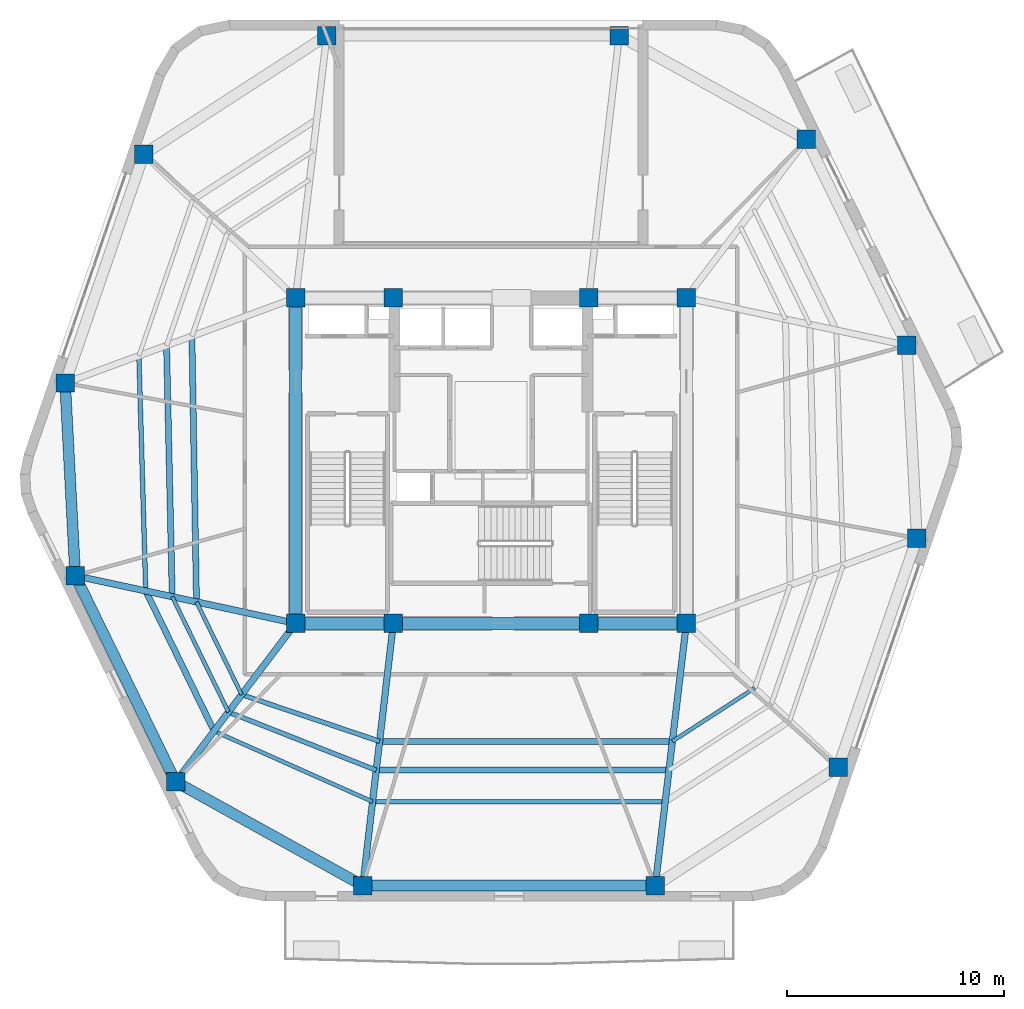
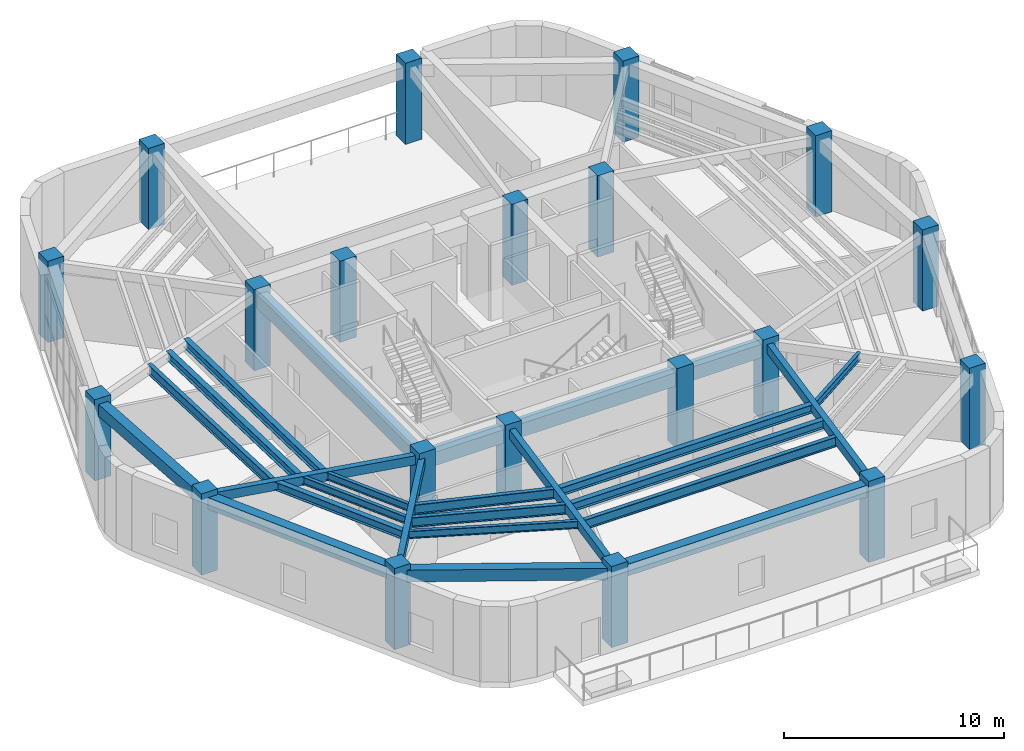
# One storey, part 1 of 15: 25 beams, 20 columns.
"""IFC4 building model written with IfcOpenShell, lengths in metres."""

from ifc_helpers import new_model, si_unit, direction, frame, origin, origin_2d, place, context, subcontext, project, spatial, rectangle, i_section, extrude, material, material_profile, profile_set, type_object, element, save


model = new_model("IFC4")

# Units and contexts
model_context = context("Model", 3, precision=1e-05, world=origin(), true_north=direction((0.0, 1.0)))
body_context = subcontext(model_context, "Body", "Model", "MODEL_VIEW")
ifc_project = project(units=[si_unit("LENGTHUNIT", "METRE"), si_unit("AREAUNIT", "SQUARE_METRE"), si_unit("VOLUMEUNIT", "CUBIC_METRE"), si_unit("PLANEANGLEUNIT", "RADIAN"), si_unit("MASSUNIT", "GRAM", prefix="KILO")], contexts=[model_context])

# Site, building, storey
site_placement = place(None, origin())
site = spatial("IfcSite", under=ifc_project, at=site_placement, CompositionType="ELEMENT")
building_placement = place(site_placement, origin())
building = spatial("IfcBuilding", under=site, at=building_placement, Name="Kilnhurst Terrace Hotel", CompositionType="ELEMENT")
storey_placement = place(building_placement, frame((0.0, 0.0, 288.60009765625)))
storey = spatial("IfcBuildingStorey", under=building, at=storey_placement, Name="L72", CompositionType="ELEMENT", Elevation=288.60009765625)

# Columns
ifc_material_1 = material(Name="Concrete C60/75", Category="concrete")
ifc_material_profile_1 = material_profile(ifc_material_1, rectangle(XDim=0.85009765625, YDim=0.85009765625, at=origin_2d()), Name="RC850X850")
ifc_profile_set_1 = profile_set([ifc_material_profile_1], Name="Concrete C60/75")
column_type = type_object("IfcColumnType", Name="COL-RC-850", PredefinedType="COLUMN", material=ifc_profile_set_1)
for number, where, z_axis, x_axis, name in (
    (1, (-9.0, -7.5, 0.0), (0.0, 0.0, 1.0), (1.0, 0.0, 0.0), "L72 Structural Column CC-SW"),
    (2, (-4.5, -7.5, 0.0), (0.0, 0.0, 1.0), (1.0, 0.0, 0.0), "L72 Structural Column CC-SC1"),
    (3, (4.5, -7.5, 0.0), (0.0, 0.0, 1.0), (1.0, 0.0, 0.0), "L72 Structural Column CC-SC2"),
    (4, (9.0, -7.5, 0.0), (0.0, 0.0, 1.0), (1.0, 0.0, 0.0), "L72 Structural Column CC-SE"),
    (5, (9.0, 7.5, 0.0), (0.0, 0.0, 1.0), (1.0, 0.0, 0.0), "L72 Structural Column CC-NE"),
    (6, (4.5, 7.5, 0.0), (0.0, 0.0, 1.0), (1.0, 0.0, 0.0), "L72 Structural Column CC-NC2"),
    (7, (-4.5, 7.5, 0.0), (0.0, 0.0, 1.0), (1.0, 0.0, 0.0), "L72 Structural Column CC-NC1"),
    (8, (-9.0, 7.5, 0.0), (0.0, 0.0, 1.0), (1.0, 0.0, 0.0), "L72 Structural Column CC-NW"),
    (9, (-5.907958984375, -19.580078125, 0.0), (0.0, 0.0, 1.0), (1.0, 0.0, 0.0), "L72 Structural Column PC-F11"),
    (10, (7.569091796875, -19.580078125, 0.0), (0.0, 0.0, 1.0), (1.0, 0.0, 0.0), "L72 Structural Column PC-F12"),
    (11, (15.9951171875, -14.12109375, 0.0), (0.0, 0.0, 1.0), (1.0, 0.0, 0.0), "L72 Structural Column PC-F21"),
    (12, (19.6240234375, -3.573974609375, 0.0), (0.0, 0.0, 1.0), (1.0, 0.0, 0.0), "L72 Structural Column PC-F22"),
    (13, (19.157958984375, 5.304931640625, 0.0), (0.0, 0.0, 1.0), (1.0, 0.0, 0.0), "L72 Structural Column PC-F31"),
    (14, (14.531005859375, 14.798095703125, 0.0), (0.0, 0.0, 1.0), (1.0, 0.0, 0.0), "L72 Structural Column PC-F32"),
    (15, (5.907958984375, 19.580078125, 0.0), (0.0, 0.0, 1.0), (1.0, 0.0, 0.0), "L72 Structural Column PC-F41"),
    (16, (-7.569091796875, 19.580078125, 0.0), (0.0, 0.0, 1.0), (1.0, 0.0, 0.0), "L72 Structural Column PC-F42"),
    (17, (-15.9951171875, 14.12109375, 0.0), (0.0, 0.0, 1.0), (1.0, 0.0, 0.0), "L72 Structural Column PC-F51"),
    (18, (-19.6240234375, 3.573974609375, 0.0), (0.0, 0.0, 1.0), (1.0, 0.0, 0.0), "L72 Structural Column PC-F52"),
    (19, (-19.157958984375, -5.304931640625, 0.0), (0.0, 0.0, 1.0), (1.0, 0.0, 0.0), "L72 Structural Column PC-F61"),
    (20, (-14.531005859375, -14.798095703125, 0.0), (0.0, 0.0, 1.0), (1.0, 0.0, 0.0), "L72 Structural Column PC-F62"),
):
    element("IfcColumn", number, at=place(storey_placement, frame(where, z_axis=z_axis, x_axis=x_axis)), inside=storey, type_object=column_type, Name=name, PredefinedType="COLUMN", context=body_context, shape_type="SweptSolid", body=[
        extrude(rectangle(XDim=0.85009765625, YDim=0.85009765625, at=origin_2d()), origin(), (0.0, 0.0, 1.0), 4.5),
    ])

# Beams
ifc_material_2 = material(Name="Concrete C50/60", Category="concrete")
ifc_material_profile_2 = material_profile(ifc_material_2, rectangle(XDim=0.300048828125, YDim=0.5, at=origin_2d()), Name="RC300X500")
ifc_profile_set_2 = profile_set([ifc_material_profile_2], Name="Concrete C50/60")
beam_type_1 = type_object("IfcBeamType", Name="BM-RAD-300X500", PredefinedType="BEAM", material=ifc_profile_set_2)
beam_1_placement = place(storey_placement, frame((-4.5, -7.5, 3.929931640625), z_axis=(-0.115768472001, -0.993276225876, 0.0), x_axis=(0.993276225876, -0.115768472001, 0.0)))
element("IfcBeam", 21, at=beam_1_placement, inside=storey, type_object=beam_type_1, Name="L72 Radial Floor Beam 1", PredefinedType="BEAM", context=body_context, shape_type="SweptSolid", body=[
    extrude(rectangle(XDim=0.300048828125, YDim=0.5, at=origin_2d()), origin(), (0.0, 0.0, 1.0), 12.161865234375),
])
beam_2_placement = place(storey_placement, frame((9.0, -7.5, 3.929931640625), z_axis=(-0.117629552811, -0.993057545314, 0.0), x_axis=(0.993057545314, -0.117629552811, 0.0)))
element("IfcBeam", 22, at=beam_2_placement, inside=storey, type_object=beam_type_1, Name="L72 Radial Floor Beam 2", PredefinedType="BEAM", context=body_context, shape_type="SweptSolid", body=[
    extrude(rectangle(XDim=0.300048828125, YDim=0.5, at=origin_2d()), origin(), (0.0, 0.0, 1.0), 12.16455078125),
])
beam_3_placement = place(storey_placement, frame((-9.0, -7.5, 3.929931640625), z_axis=(-0.977438945995, 0.211218149913, 0.0), x_axis=(-0.211218149913, -0.977438945995, 0.0)))
element("IfcBeam", 23, at=beam_3_placement, inside=storey, type_object=beam_type_1, Name="L72 Radial Floor Beam 11", PredefinedType="BEAM", context=body_context, shape_type="SweptSolid", body=[
    extrude(rectangle(XDim=0.300048828125, YDim=0.5, at=origin_2d()), origin(), (0.0, 0.0, 1.0), 10.392333984375),
])
beam_4_placement = place(storey_placement, frame((-9.0, -7.5, 3.929931640625), z_axis=(-0.604006537698, -0.79697936135, 0.0), x_axis=(0.79697936135, -0.604006537698, 0.0)))
element("IfcBeam", 24, at=beam_4_placement, inside=storey, type_object=beam_type_1, Name="L72 Radial Floor Beam 12", PredefinedType="BEAM", context=body_context, shape_type="SweptSolid", body=[
    extrude(rectangle(XDim=0.300048828125, YDim=0.5, at=origin_2d()), origin(), (0.0, 0.0, 1.0), 9.1572265625),
])
ifc_material_profile_3 = material_profile(ifc_material_2, rectangle(XDim=0.5, YDim=0.64990234375, at=origin_2d()), Name="RC500X650")
ifc_profile_set_3 = profile_set([ifc_material_profile_3], Name="Concrete C50/60")
beam_type_2 = type_object("IfcBeamType", Name="BM-SPN-500X650", PredefinedType="SPANDREL", material=ifc_profile_set_3)
beam_5_placement = place(storey_placement, frame((-5.907958984375, -19.580078125, 3.85498046875), z_axis=(1.0, 0.0, 0.0), x_axis=(0.0, 1.0, 0.0)))
element("IfcBeam", 25, at=beam_5_placement, inside=storey, type_object=beam_type_2, Name="L72 Perimeter Spandrel Beam 1", PredefinedType="SPANDREL", context=body_context, shape_type="SweptSolid", body=[
    extrude(rectangle(XDim=0.5, YDim=0.64990234375, at=origin_2d()), origin(), (0.0, 0.0, 1.0), 13.47705078125),
])
beam_6_placement = place(storey_placement, frame((-19.6240234375, 3.573974609375, 3.85498046875), z_axis=(0.052419034962, -0.998625177318, 0.0), x_axis=(0.998625177318, 0.052419034962, 0.0)))
element("IfcBeam", 26, at=beam_6_placement, inside=storey, type_object=beam_type_2, Name="L72 Perimeter Spandrel Beam 10", PredefinedType="SPANDREL", context=body_context, shape_type="SweptSolid", body=[
    extrude(rectangle(XDim=0.5, YDim=0.64990234375, at=origin_2d()), origin(), (0.0, 0.0, 1.0), 8.89111328125),
])
beam_7_placement = place(storey_placement, frame((-19.157958984375, -5.304931640625, 3.85498046875), z_axis=(0.438128464895, -0.898912369616, 0.0), x_axis=(0.898912369616, 0.438128464895, 0.0)))
element("IfcBeam", 27, at=beam_7_placement, inside=storey, type_object=beam_type_2, Name="L72 Perimeter Spandrel Beam 11", PredefinedType="SPANDREL", context=body_context, shape_type="SweptSolid", body=[
    extrude(rectangle(XDim=0.5, YDim=0.64990234375, at=origin_2d()), origin(), (0.0, 0.0, 1.0), 10.560791015625),
])
beam_8_placement = place(storey_placement, frame((-14.531005859375, -14.798095703125, 3.85498046875), z_axis=(0.874527255888, -0.484976369227, 0.0), x_axis=(0.484976369227, 0.874527255888, 0.0)))
element("IfcBeam", 28, at=beam_8_placement, inside=storey, type_object=beam_type_2, Name="L72 Perimeter Spandrel Beam 12", PredefinedType="SPANDREL", context=body_context, shape_type="SweptSolid", body=[
    extrude(rectangle(XDim=0.5, YDim=0.64990234375, at=origin_2d()), origin(), (0.0, 0.0, 1.0), 9.8603515625),
])
ifc_material_profile_4 = material_profile(ifc_material_2, rectangle(XDim=0.550048828125, YDim=0.75, at=origin_2d()), Name="RC550X750")
ifc_profile_set_4 = profile_set([ifc_material_profile_4], Name="Concrete C50/60")
beam_type_3 = type_object("IfcBeamType", Name="BM-SPN-550X750", PredefinedType="SPANDREL", material=ifc_profile_set_4)
beam_9_placement = place(storey_placement, frame((-9.0, -7.5, 3.804931640625), z_axis=(1.0, 0.0, 0.0), x_axis=(0.0, 1.0, 0.0)))
element("IfcBeam", 29, at=beam_9_placement, inside=storey, type_object=beam_type_3, Name="L72 Core Tie Beam CC-SW to CC-SC1", PredefinedType="SPANDREL", context=body_context, shape_type="SweptSolid", body=[
    extrude(rectangle(XDim=0.550048828125, YDim=0.75, at=origin_2d()), origin(), (0.0, 0.0, 1.0), 4.5),
])
beam_10_placement = place(storey_placement, frame((-4.5, -7.5, 3.804931640625), z_axis=(1.0, 0.0, 0.0), x_axis=(0.0, 1.0, 0.0)))
element("IfcBeam", 30, at=beam_10_placement, inside=storey, type_object=beam_type_3, Name="L72 Core Tie Beam CC-SC1 to CC-SC2", PredefinedType="SPANDREL", context=body_context, shape_type="SweptSolid", body=[
    extrude(rectangle(XDim=0.550048828125, YDim=0.75, at=origin_2d()), origin(), (0.0, 0.0, 1.0), 9.0),
])
beam_11_placement = place(storey_placement, frame((4.5, -7.5, 3.804931640625), z_axis=(1.0, 0.0, 0.0), x_axis=(0.0, 1.0, 0.0)))
element("IfcBeam", 31, at=beam_11_placement, inside=storey, type_object=beam_type_3, Name="L72 Core Tie Beam CC-SC2 to CC-SE", PredefinedType="SPANDREL", context=body_context, shape_type="SweptSolid", body=[
    extrude(rectangle(XDim=0.550048828125, YDim=0.75, at=origin_2d()), origin(), (0.0, 0.0, 1.0), 4.5),
])
beam_12_placement = place(storey_placement, frame((-9.0, -7.5, 3.804931640625), z_axis=(0.0, 1.0, 0.0), x_axis=(-1.0, 0.0, 0.0)))
element("IfcBeam", 32, at=beam_12_placement, inside=storey, type_object=beam_type_3, Name="L72 Core Tie Beam CC-SW to CC-NW", PredefinedType="SPANDREL", context=body_context, shape_type="SweptSolid", body=[
    extrude(rectangle(XDim=0.550048828125, YDim=0.75, at=origin_2d()), origin(), (0.0, 0.0, 1.0), 15.0),
])
ifc_material_3 = material(Name="Steel ASTM A992 Grade 50", Category="steel")
ifc_material_profile_5 = material_profile(ifc_material_3, i_section(OverallWidth=0.180908203125, OverallDepth=0.417236328125, WebThickness=0.010986328125, FlangeThickness=0.018310546875, at=origin_2d()), Name="W16X57")
ifc_profile_set_5 = profile_set([ifc_material_profile_5], Name="Steel ASTM A992 Grade 50")
beam_type_4 = type_object("IfcBeamType", Name="JST-STL-W16X57", PredefinedType="JOIST", material=ifc_profile_set_5)
beam_13_placement = place(storey_placement, frame((-12.760986328125, -12.462646484375, 3.970947265625), z_axis=(0.913545640569, -0.406736232216, 0.0), x_axis=(0.406736232216, 0.913545640569, 0.0)))
element("IfcBeam", 33, at=beam_13_placement, inside=storey, type_object=beam_type_4, Name="L72 Secondary Floor Steel Joist OUT.12", PredefinedType="JOIST", context=body_context, shape_type="SweptSolid", body=[
    extrude(i_section(OverallWidth=0.180908203125, OverallDepth=0.417236328125, WebThickness=0.010986328125, FlangeThickness=0.018310546875, at=origin_2d()), origin(), (0.0, 0.0, 1.0), 7.99462890625),
])
beam_14_placement = place(storey_placement, frame((8.35595703125, -12.93603515625, 3.970947265625), z_axis=(0.839261215199, 0.543728436503, 0.0), x_axis=(-0.543728436503, 0.839261215199, 0.0)))
element("IfcBeam", 34, at=beam_14_placement, inside=storey, type_object=beam_type_4, Name="L72 Secondary Floor Steel Joist IN.2", PredefinedType="JOIST", context=body_context, shape_type="SweptSolid", body=[
    extrude(i_section(OverallWidth=0.180908203125, OverallDepth=0.417236328125, WebThickness=0.010986328125, FlangeThickness=0.018310546875, at=origin_2d()), origin(), (0.0, 0.0, 1.0), 4.51806640625),
])
beam_15_placement = place(storey_placement, frame((-13.571044921875, -6.51220703125, 3.970947265625), z_axis=(0.438107813647, -0.898922434708, 0.0), x_axis=(0.898922434708, 0.438107813647, 0.0)))
element("IfcBeam", 35, at=beam_15_placement, inside=storey, type_object=beam_type_4, Name="L72 Secondary Floor Steel Joist IN.11", PredefinedType="JOIST", context=body_context, shape_type="SweptSolid", body=[
    extrude(i_section(OverallWidth=0.180908203125, OverallDepth=0.417236328125, WebThickness=0.010986328125, FlangeThickness=0.018310546875, at=origin_2d()), origin(), (0.0, 0.0, 1.0), 4.75244140625),
])
beam_16_placement = place(storey_placement, frame((-14.6884765625, -6.270751953125, 3.970947265625), z_axis=(0.438125112318, -0.898914003649, 0.0), x_axis=(0.898914003649, 0.438125112318, 0.0)))
element("IfcBeam", 36, at=beam_16_placement, inside=storey, type_object=beam_type_4, Name="L72 Secondary Floor Steel Joist MID.11", PredefinedType="JOIST", context=body_context, shape_type="SweptSolid", body=[
    extrude(i_section(OverallWidth=0.180908203125, OverallDepth=0.417236328125, WebThickness=0.010986328125, FlangeThickness=0.018310546875, at=origin_2d()), origin(), (0.0, 0.0, 1.0), 5.9140625),
])
ifc_material_profile_6 = material_profile(ifc_material_3, i_section(OverallWidth=0.279296875, OverallDepth=0.462890625, WebThickness=0.0107421875, FlangeThickness=0.017333984375, at=origin_2d()), Name="W18X76")
ifc_profile_set_6 = profile_set([ifc_material_profile_6], Name="Steel ASTM A992 Grade 50")
beam_type_5 = type_object("IfcBeamType", Name="JST-STL-W18X76", PredefinedType="JOIST", material=ifc_profile_set_6)
beam_17_placement = place(storey_placement, frame((-15.907470703125, -6.00732421875, 3.947998046875), z_axis=(0.438147652742, -0.898903017237, 0.0), x_axis=(0.898903017237, 0.438147652742, 0.0)))
element("IfcBeam", 37, at=beam_17_placement, inside=storey, type_object=beam_type_5, Name="L72 Secondary Floor Steel Joist OUT.11", PredefinedType="JOIST", context=body_context, shape_type="SweptSolid", body=[
    extrude(i_section(OverallWidth=0.279296875, OverallDepth=0.462890625, WebThickness=0.0107421875, FlangeThickness=0.017333984375, at=origin_2d()), origin(), (0.0, 0.0, 1.0), 7.181396484375),
])
beam_18_placement = place(storey_placement, frame((-5.133544921875, -12.93603515625, 3.947998046875), z_axis=(1.0, 0.0, 0.0), x_axis=(0.0, 1.0, 0.0)))
element("IfcBeam", 38, at=beam_18_placement, inside=storey, type_object=beam_type_5, Name="L72 Secondary Floor Steel Joist IN.1", PredefinedType="JOIST", context=body_context, shape_type="SweptSolid", body=[
    extrude(i_section(OverallWidth=0.279296875, OverallDepth=0.462890625, WebThickness=0.0107421875, FlangeThickness=0.017333984375, at=origin_2d()), origin(), (0.0, 0.0, 1.0), 13.489501953125),
])
beam_19_placement = place(storey_placement, frame((-13.78076171875, 5.7333984375, 3.947998046875), z_axis=(0.01712337129, -0.99985338433, 0.0), x_axis=(0.99985338433, 0.01712337129, 0.0)))
element("IfcBeam", 39, at=beam_19_placement, inside=storey, type_object=beam_type_5, Name="L72 Secondary Floor Steel Joist IN.10", PredefinedType="JOIST", context=body_context, shape_type="SweptSolid", body=[
    extrude(i_section(OverallWidth=0.279296875, OverallDepth=0.462890625, WebThickness=0.0107421875, FlangeThickness=0.017333984375, at=origin_2d()), origin(), (0.0, 0.0, 1.0), 12.247314453125),
])
beam_20_placement = place(storey_placement, frame((-5.28857421875, -14.264892578125, 3.947998046875), z_axis=(1.0, 0.0, 0.0), x_axis=(0.0, 1.0, 0.0)))
element("IfcBeam", 40, at=beam_20_placement, inside=storey, type_object=beam_type_5, Name="L72 Secondary Floor Steel Joist MID.1", PredefinedType="JOIST", context=body_context, shape_type="SweptSolid", body=[
    extrude(i_section(OverallWidth=0.279296875, OverallDepth=0.462890625, WebThickness=0.0107421875, FlangeThickness=0.017333984375, at=origin_2d()), origin(), (0.0, 0.0, 1.0), 13.487060546875),
])
beam_21_placement = place(storey_placement, frame((-14.949462890625, 5.301513671875, 3.947998046875), z_axis=(0.022547009345, -0.999745783872, 0.0), x_axis=(0.999745783872, 0.022547009345, 0.0)))
element("IfcBeam", 41, at=beam_21_placement, inside=storey, type_object=beam_type_5, Name="L72 Secondary Floor Steel Joist MID.10", PredefinedType="JOIST", context=body_context, shape_type="SweptSolid", body=[
    extrude(i_section(OverallWidth=0.279296875, OverallDepth=0.462890625, WebThickness=0.0107421875, FlangeThickness=0.017333984375, at=origin_2d()), origin(), (0.0, 0.0, 1.0), 11.5751953125),
])
ifc_material_profile_7 = material_profile(ifc_material_3, i_section(OverallWidth=0.2138671875, OverallDepth=0.549072265625, WebThickness=0.0146484375, FlangeThickness=0.023681640625, at=origin_2d()), Name="W21X93")
ifc_profile_set_7 = profile_set([ifc_material_profile_7], Name="Steel ASTM A992 Grade 50")
beam_type_6 = type_object("IfcBeamType", Name="JST-STL-W21X93", PredefinedType="JOIST", material=ifc_profile_set_7)
beam_22_placement = place(storey_placement, frame((-5.45751953125, -15.71435546875, 3.90478515625), z_axis=(1.0, 0.0, 0.0), x_axis=(0.0, 1.0, 0.0)))
element("IfcBeam", 42, at=beam_22_placement, inside=storey, type_object=beam_type_6, Name="L72 Secondary Floor Steel Joist OUT.1", PredefinedType="JOIST", context=body_context, shape_type="SweptSolid", body=[
    extrude(i_section(OverallWidth=0.2138671875, OverallDepth=0.549072265625, WebThickness=0.0146484375, FlangeThickness=0.023681640625, at=origin_2d()), origin(), (0.0, 0.0, 1.0), 13.484375),
])
beam_23_placement = place(storey_placement, frame((-16.224365234375, 4.830322265625, 3.90478515625), z_axis=(0.029227669324, -0.999572780415, 0.0), x_axis=(0.999572780415, 0.029227669324, 0.0)))
element("IfcBeam", 43, at=beam_23_placement, inside=storey, type_object=beam_type_6, Name="L72 Secondary Floor Steel Joist OUT.10", PredefinedType="JOIST", context=body_context, shape_type="SweptSolid", body=[
    extrude(i_section(OverallWidth=0.2138671875, OverallDepth=0.549072265625, WebThickness=0.0146484375, FlangeThickness=0.023681640625, at=origin_2d()), origin(), (0.0, 0.0, 1.0), 10.84228515625),
])
beam_24_placement = place(storey_placement, frame((-11.489013671875, -10.7841796875, 3.90478515625), z_axis=(0.947180946302, -0.320699633555, 0.0), x_axis=(0.320699633555, 0.947180946302, 0.0)))
element("IfcBeam", 44, at=beam_24_placement, inside=storey, type_object=beam_type_6, Name="L72 Secondary Floor Steel Joist IN.12", PredefinedType="JOIST", context=body_context, shape_type="SweptSolid", body=[
    extrude(i_section(OverallWidth=0.2138671875, OverallDepth=0.549072265625, WebThickness=0.0146484375, FlangeThickness=0.023681640625, at=origin_2d()), origin(), (0.0, 0.0, 1.0), 6.7099609375),
])
beam_25_placement = place(storey_placement, frame((-12.097412109375, -11.5869140625, 3.90478515625), z_axis=(0.930608251849, -0.366016777745, 0.0), x_axis=(0.366016777745, 0.930608251849, 0.0)))
element("IfcBeam", 45, at=beam_25_placement, inside=storey, type_object=beam_type_6, Name="L72 Secondary Floor Steel Joist MID.12", PredefinedType="JOIST", context=body_context, shape_type="SweptSolid", body=[
    extrude(i_section(OverallWidth=0.2138671875, OverallDepth=0.549072265625, WebThickness=0.0146484375, FlangeThickness=0.023681640625, at=origin_2d()), origin(), (0.0, 0.0, 1.0), 7.316650390625),
])

save(model, "model.ifc")
